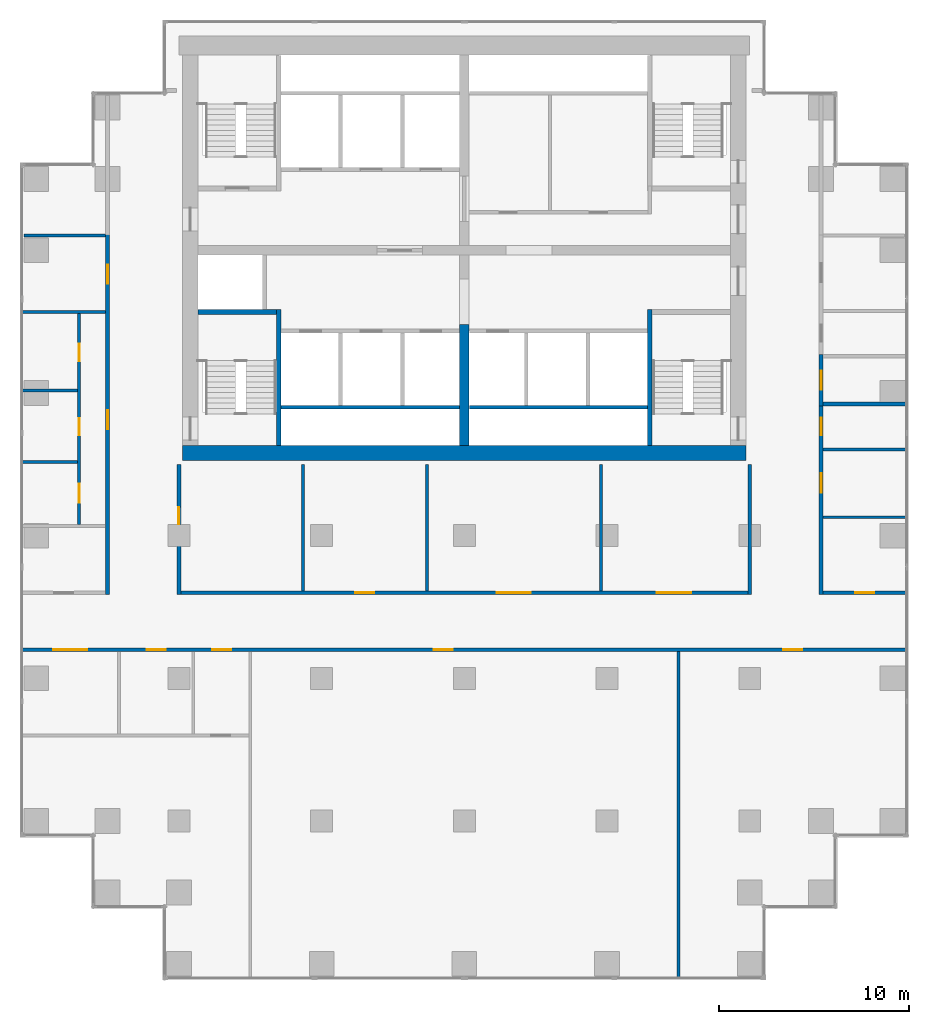
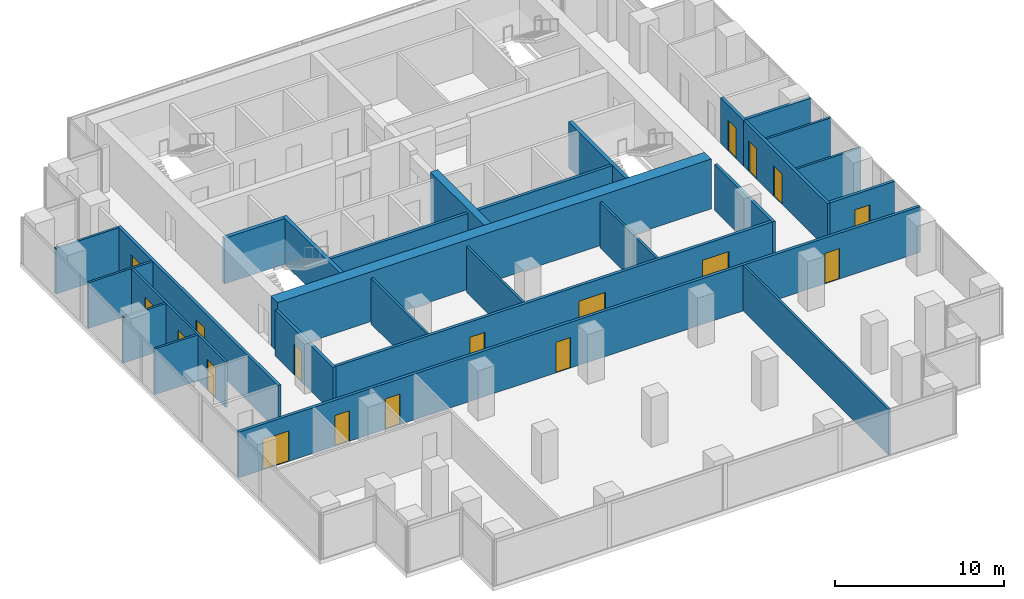
# One storey, part 7 of 10: 27 walls, 18 doors, 18 openings.
"""IFC4 building model written with IfcOpenShell, lengths in metres."""

import ifcopenshell
import ifcopenshell.guid

model = None  # the IFC model being written
_history = None  # IfcOwnerHistory: only IFC2X3 demands one
_inside = {}  # id of a spatial element -> (the spatial element, [elements in it])
_under = {}  # id of a project, library or spatial element -> (it, [spatial elements below it])
_declared = {}  # id of a project -> (the project, [libraries it declares])
_typed = {}  # id of a type object -> (the type object, [elements of that type])
_made_of = {}  # id of a material, layer set ... -> (it, [elements and type objects made of it])


def new_model(schema):
    """Start an empty IFC model of exactly this schema.

    Asked for "IFC4X3", IfcOpenShell would pick the latest addendum, in which some entities
    have other attributes; the version numbers below select the first issue.
    IFC2X3 requires an IfcOwnerHistory on every rooted entity: one is made here for all.
    """
    global model, _history
    if schema == "IFC4X3":
        model = ifcopenshell.file(schema_version=(4, 3, 0, 0))
    else:
        model = ifcopenshell.file(schema=schema)
    _inside.clear()
    _under.clear()
    _declared.clear()
    _typed.clear()
    _made_of.clear()
    _history = None
    if model.schema == "IFC2X3":
        org = make("IfcOrganization", Name="unknown")
        user = make(
            "IfcPersonAndOrganization",
            ThePerson=make("IfcPerson", FamilyName="unknown"),
            TheOrganization=org,
        )
        app = make(
            "IfcApplication",
            ApplicationDeveloper=org,
            Version="unknown",
            ApplicationFullName="unknown",
            ApplicationIdentifier="unknown",
        )
        _history = make(
            "IfcOwnerHistory",
            OwningUser=user,
            OwningApplication=app,
            ChangeAction="ADDED",
            CreationDate=0,
        )
    return model


def make(cls, **values):
    """One entity of the class cls with the attributes given. An attribute that is None is left unset."""
    return model.create_entity(
        cls, **{name: value for name, value in values.items() if value is not None}
    )


def rooted(cls, **values):
    """An entity with a GlobalId (a new one), such as an element, a storey or a relation."""
    return make(cls, GlobalId=ifcopenshell.guid.new(), OwnerHistory=_history, **values)


def si_unit(unit_type, name, prefix=None):
    """IfcSIUnit, for example si_unit("LENGTHUNIT", "METRE", prefix="MILLI")."""
    return make("IfcSIUnit", UnitType=unit_type, Prefix=prefix, Name=name)


def assignment(units):
    """IfcUnitAssignment: the units of a project."""
    return None if units is None else make("IfcUnitAssignment", Units=units)


def point(xyz):
    """IfcCartesianPoint."""
    return None if xyz is None else make("IfcCartesianPoint", Coordinates=xyz)


def direction(xyz):
    """IfcDirection."""
    return None if xyz is None else make("IfcDirection", DirectionRatios=xyz)


def frame(location, z_axis=None, x_axis=None):
    """IfcAxis2Placement3D, a coordinate frame: its origin and axes. An axis left out is left unset."""
    return make(
        "IfcAxis2Placement3D",
        Location=point(location),
        Axis=direction(z_axis),
        RefDirection=direction(x_axis),
    )


def frame_2d(location, x_axis=None):
    """IfcAxis2Placement2D, a coordinate frame in the plane: its origin and x axis."""
    return make(
        "IfcAxis2Placement2D", Location=point(location), RefDirection=direction(x_axis)
    )


def origin():
    """The frame at (0, 0, 0) with its axes left unset."""
    return frame((0.0, 0.0, 0.0))


def place(relative_to, where):
    """IfcLocalPlacement: puts the frame where relative to a parent placement (None: the world)."""
    return make(
        "IfcLocalPlacement", PlacementRelTo=relative_to, RelativePlacement=where
    )


def context(
    kind, dimensions, precision=None, world=None, true_north=None, identifier=None
):
    """IfcGeometricRepresentationContext, for example the 3D "Model" context."""
    return make(
        "IfcGeometricRepresentationContext",
        ContextIdentifier=identifier,
        ContextType=kind,
        CoordinateSpaceDimension=dimensions,
        Precision=precision,
        WorldCoordinateSystem=world,
        TrueNorth=true_north,
    )


def subcontext(parent, identifier, kind, view, scale=None):
    """IfcGeometricRepresentationSubContext, for example "Body" below "Model"."""
    return make(
        "IfcGeometricRepresentationSubContext",
        ContextIdentifier=identifier,
        ContextType=kind,
        ParentContext=parent,
        TargetScale=scale,
        TargetView=view,
    )


def project(units=None, contexts=None):
    """IfcProject with its units and contexts."""
    return rooted(
        "IfcProject",
        Name="project",
        RepresentationContexts=contexts,
        UnitsInContext=assignment(units),
    )


def spatial(cls, under=None, at=None, **own):
    """A site, building, storey or space (cls), placed at a placement, below another one or the project."""
    s = rooted(cls, ObjectPlacement=at, **own)
    if under is not None:
        _under.setdefault(under.id(), (under, []))[1].append(s)
    return s


def profile(cls, at=None, kind="AREA", **sizes):
    """A parametric profile (cls). Its sizes go by their IFC names, for example OverallWidth=200.0."""
    return make(cls, ProfileType=kind, Position=at, **sizes)


def rectangle(**sizes):
    """IfcRectangleProfileDef."""
    return profile("IfcRectangleProfileDef", **sizes)


def extrude(swept, where, along, depth):
    """IfcExtrudedAreaSolid: the profile swept, set in the frame where, extruded along a direction by depth."""
    return make(
        "IfcExtrudedAreaSolid",
        SweptArea=swept,
        Position=where,
        ExtrudedDirection=direction(along),
        Depth=depth,
    )


def shape(context_of_items, identifier, shape_type, items):
    """IfcShapeRepresentation: the items that make up one representation, for example the "Body"."""
    return make(
        "IfcShapeRepresentation",
        ContextOfItems=context_of_items,
        RepresentationIdentifier=identifier,
        RepresentationType=shape_type,
        Items=items,
    )


def material(Name=None, Category=None):
    """IfcMaterial."""
    return make("IfcMaterial", Name=Name, Category=Category)


def layer(
    of_material, thickness, ventilated=None, Name=None, Category=None, Priority=None
):
    """IfcMaterialLayer: one layer of a wall or slab, of a material (None: an air gap)."""
    return make(
        "IfcMaterialLayer",
        Material=of_material,
        LayerThickness=thickness,
        IsVentilated=ventilated,
        Name=Name,
        Category=Category,
        Priority=Priority,
    )


def layer_set(layers, Name=None):
    """IfcMaterialLayerSet."""
    return make("IfcMaterialLayerSet", MaterialLayers=layers, LayerSetName=Name)


def made_of(thing, what):
    """Note that an element or type object is made of a material, layer set ...; save() writes the relation."""
    if what is not None:
        _made_of.setdefault(what.id(), (what, []))[1].append(thing)
    return thing


def type_object(cls, material=None, **own):
    """A type object (cls), such as IfcWallType, which elements share."""
    return made_of(rooted(cls, **own), material)


def element(
    cls,
    number,
    at=None,
    inside=None,
    cuts=None,
    type_object=None,
    material=None,
    context=None,
    identifier="Body",
    shape_type=None,
    held_by="IfcProductDefinitionShape",
    body=None,
    shapes=None,
    **own,
):
    """One element of the class cls, such as IfcWall. Its Tag is "e" and its number.

    at: its placement. inside: the storey or other place that contains it. cuts: it is an
    opening in that element (IfcRelVoidsElement). A single representation is given by context,
    identifier, shape_type and body (its items); several are given by shapes. held_by: the class
    of the entity that holds the representations. save() writes the other relations.
    """
    e = rooted(cls, Tag="e%d" % number, ObjectPlacement=at, **own)
    if body is not None:
        shapes = [shape(context, identifier, shape_type, body)]
    if shapes is not None:
        e.Representation = make(held_by, Representations=shapes)
    if inside is not None:
        _inside.setdefault(inside.id(), (inside, []))[1].append(e)
    if cuts is not None:
        rooted(
            "IfcRelVoidsElement", RelatingBuildingElement=cuts, RelatedOpeningElement=e
        )
    if type_object is not None:
        _typed.setdefault(type_object.id(), (type_object, []))[1].append(e)
    return made_of(e, material)


def fill(opening, filler):
    """IfcRelFillsElement: the door or window that sits in an opening."""
    return rooted(
        "IfcRelFillsElement",
        RelatingOpeningElement=opening,
        RelatedBuildingElement=filler,
    )


def aggregate(whole, parts):
    """IfcRelAggregates: a whole, such as a stair, and the parts it consists of."""
    return rooted("IfcRelAggregates", RelatingObject=whole, RelatedObjects=parts)


def save(model, path):
    """Write the relations noted so far, then the file.

    IfcRelAggregates (storeys below a building ...), IfcRelContainedInSpatialStructure (elements
    in a storey), IfcRelDefinesByType, IfcRelAssociatesMaterial and IfcRelDeclares: one each for
    every whole, place, type object, material and project.
    """
    for whole, parts in _under.values():
        aggregate(whole, parts)
    for where, things in _inside.values():
        rooted(
            "IfcRelContainedInSpatialStructure",
            RelatedElements=things,
            RelatingStructure=where,
        )
    for kind, things in _typed.values():
        rooted("IfcRelDefinesByType", RelatedObjects=things, RelatingType=kind)
    for what, things in _made_of.values():
        rooted("IfcRelAssociatesMaterial", RelatedObjects=things, RelatingMaterial=what)
    for by, libraries in _declared.values():
        rooted("IfcRelDeclares", RelatingContext=by, RelatedDefinitions=libraries)
    model.write(path)


model = new_model("IFC4")

# Units and contexts
model_context = context("Model", 3, precision=1e-05, world=origin(), true_north=direction((0.0, 1.0)))
body_context = subcontext(model_context, "Body", "Model", "MODEL_VIEW")
ifc_project = project(units=[si_unit("LENGTHUNIT", "METRE"), si_unit("AREAUNIT", "SQUARE_METRE"), si_unit("VOLUMEUNIT", "CUBIC_METRE"), si_unit("PLANEANGLEUNIT", "RADIAN"), si_unit("MASSUNIT", "GRAM", prefix="KILO")], contexts=[model_context])

# Site, building, storey
site_placement = place(None, origin())
site = spatial("IfcSite", under=ifc_project, at=site_placement, CompositionType="ELEMENT")
building_placement = place(site_placement, origin())
building = spatial("IfcBuilding", under=site, at=building_placement, Name="Pilkhan Gate Tower", CompositionType="ELEMENT")
storey_placement = place(building_placement, frame((0.0, 0.0, 136.0)))
storey = spatial("IfcBuildingStorey", under=building, at=storey_placement, Name="L34", CompositionType="ELEMENT", Elevation=136.0)

# Wall
ifc_material_1 = material(Name="Concrete C60/75", Category="concrete")
ifc_layer_1 = layer(ifc_material_1, 0.800048828125)
ifc_layer_set_1 = layer_set([ifc_layer_1], Name="Core wall CW800 C60/75")
wall_type_1 = type_object("IfcWallType", Name="Core wall CW800 C60/75", PredefinedType="SHEAR", material=ifc_layer_set_1)
wall_1_placement = place(storey_placement, frame((60.199951171875, 71.85009765625, 0.0), z_axis=(0.0, 0.0, 1.0), x_axis=(1.0, 0.0, 0.0)))
element("IfcWall", 1, at=wall_1_placement, inside=storey, type_object=wall_type_1, Name="Core wall S L34", PredefinedType="SHEAR", context=body_context, shape_type="SweptSolid", body=[
    extrude(rectangle(XDim=29.60009765625, YDim=0.800048828125, at=frame_2d((14.800048828125, 0.0))), origin(), (0.0, 0.0, 1.0), 3.60009765625),
])

# Wall, openings, doors
ifc_material_2 = material(Name="Dense blockwork", Category="masonry")
ifc_layer_2 = layer(ifc_material_2, 0.199951171875)
ifc_layer_set_2 = layer_set([ifc_layer_2], Name="Corridor wall FW200")
wall_type_2 = type_object("IfcWallType", Name="Corridor wall FW200", PredefinedType="PARTITIONING", material=ifc_layer_set_2)
wall_2_placement = place(storey_placement, frame((51.735107421875, 61.5, 0.0), z_axis=(0.0, 0.0, 1.0), x_axis=(1.0, 0.0, 0.0)))
wall_2 = element("IfcWall", 2, at=wall_2_placement, inside=storey, type_object=wall_type_2, Name="Partition L34", PredefinedType="PARTITIONING", context=body_context, shape_type="SweptSolid", body=[
    extrude(rectangle(XDim=46.52978515625, YDim=0.199951171875, at=frame_2d((23.264892578125, 0.0))), origin(), (0.0, 0.0, 1.0), 3.300048828125),
])
opening_1_placement = place(wall_2_placement, frame((10.014892578125, 0.0, 0.0)))
opening_1 = element("IfcOpeningElement", 3, at=opening_1_placement, cuts=wall_2, Name="Opening L34-06", PredefinedType="OPENING", context=body_context, shape_type="SweptSolid", body=[
    extrude(rectangle(XDim=1.0, YDim=2.199951171875, at=frame_2d((0.5, 1.10009765625))), frame((0.0, 0.10986328125, 0.0), z_axis=(0.0, -1.0, 0.0), x_axis=(1.0, 0.0, 0.0)), (0.0, 0.0, 1.0), 0.219970703125),
])
opening_2_placement = place(wall_2_placement, frame((1.64990234375, 0.0, 0.0)))
opening_2 = element("IfcOpeningElement", 4, at=opening_2_placement, cuts=wall_2, Name="Opening L34-16", PredefinedType="OPENING", context=body_context, shape_type="SweptSolid", body=[
    extrude(rectangle(XDim=1.800048828125, YDim=2.199951171875, at=frame_2d((0.89990234375, 1.10009765625))), frame((0.0, 0.10986328125, 0.0), z_axis=(0.0, -1.0, 0.0), x_axis=(1.0, 0.0, 0.0)), (0.0, 0.0, 1.0), 0.219970703125),
])
opening_3_placement = place(wall_2_placement, frame((6.571044921875, 0.0, 0.0)))
opening_3 = element("IfcOpeningElement", 5, at=opening_3_placement, cuts=wall_2, Name="Opening L34-17", PredefinedType="OPENING", context=body_context, shape_type="SweptSolid", body=[
    extrude(rectangle(XDim=1.0, YDim=2.199951171875, at=frame_2d((0.5, 1.10009765625))), frame((0.0, 0.10986328125, 0.0), z_axis=(0.0, -1.0, 0.0), x_axis=(1.0, 0.0, 0.0)), (0.0, 0.0, 1.0), 0.219970703125),
])
opening_4_placement = place(wall_2_placement, frame((21.6650390625, 0.0, 0.0)))
opening_4 = element("IfcOpeningElement", 6, at=opening_4_placement, cuts=wall_2, Name="Opening L34-19", PredefinedType="OPENING", context=body_context, shape_type="SweptSolid", body=[
    extrude(rectangle(XDim=1.0, YDim=2.199951171875, at=frame_2d((0.5, 1.10009765625))), frame((0.0, 0.10986328125, 0.0), z_axis=(0.0, -1.0, 0.0), x_axis=(1.0, 0.0, 0.0)), (0.0, 0.0, 1.0), 0.219970703125),
])
opening_5_placement = place(wall_2_placement, frame((40.014892578125, 0.0, 0.0)))
opening_5 = element("IfcOpeningElement", 7, at=opening_5_placement, cuts=wall_2, Name="Opening L34-20", PredefinedType="OPENING", context=body_context, shape_type="SweptSolid", body=[
    extrude(rectangle(XDim=1.0, YDim=2.199951171875, at=frame_2d((0.5, 1.10009765625))), frame((0.0, 0.10986328125, 0.0), z_axis=(0.0, -1.0, 0.0), x_axis=(1.0, 0.0, 0.0)), (0.0, 0.0, 1.0), 0.219970703125),
])
ifc_material_3 = material(Name="Timber glazed double door, 30 minute fire resisting", Category="wood")
door_type_1 = type_object("IfcDoorType", Name="Double door D04 1800x2200", OperationType="DOUBLE_DOOR_SINGLE_SWING", PredefinedType="DOOR", material=ifc_material_3)
door_1_placement = place(opening_2_placement, origin())
door_1 = element("IfcDoor", 8, at=door_1_placement, inside=storey, type_object=door_type_1, Name="Double door", OperationType="DOUBLE_DOOR_SINGLE_SWING", OverallHeight=2.199951171875, OverallWidth=1.800048828125, PredefinedType="DOOR", context=body_context, shape_type="SweptSolid", body=[
    extrude(rectangle(XDim=1.800048828125, YDim=2.199951171875, at=frame_2d((0.89990234375, 1.10009765625))), frame((0.0, 0.02490234375, 0.0), z_axis=(0.0, -1.0, 0.0), x_axis=(1.0, 0.0, 0.0)), (0.0, 0.0, 1.0), 0.050048828125),
])
fill(opening_2, door_1)
ifc_material_4 = material(Name="Timber flush door, 30 minute fire resisting", Category="wood")
door_type_2 = type_object("IfcDoorType", Name="Room door D03 1000x2200", OperationType="SINGLE_SWING_LEFT", PredefinedType="DOOR", material=ifc_material_4)
door_2_placement = place(opening_1_placement, origin())
door_2 = element("IfcDoor", 9, at=door_2_placement, inside=storey, type_object=door_type_2, Name="Room door", OperationType="SINGLE_SWING_LEFT", OverallHeight=2.199951171875, OverallWidth=1.0, PredefinedType="DOOR", context=body_context, shape_type="SweptSolid", body=[
    extrude(rectangle(XDim=1.0, YDim=2.199951171875, at=frame_2d((0.5, 1.10009765625))), frame((0.0, 0.02490234375, 0.0), z_axis=(0.0, -1.0, 0.0), x_axis=(1.0, 0.0, 0.0)), (0.0, 0.0, 1.0), 0.050048828125),
])
fill(opening_1, door_2)
door_3_placement = place(opening_3_placement, origin())
door_3 = element("IfcDoor", 10, at=door_3_placement, inside=storey, type_object=door_type_2, Name="Room door", OperationType="SINGLE_SWING_LEFT", OverallHeight=2.199951171875, OverallWidth=1.0, PredefinedType="DOOR", context=body_context, shape_type="SweptSolid", body=[
    extrude(rectangle(XDim=1.0, YDim=2.199951171875, at=frame_2d((0.5, 1.10009765625))), frame((0.0, 0.02490234375, 0.0), z_axis=(0.0, -1.0, 0.0), x_axis=(1.0, 0.0, 0.0)), (0.0, 0.0, 1.0), 0.050048828125),
])
fill(opening_3, door_3)
door_4_placement = place(opening_4_placement, origin())
door_4 = element("IfcDoor", 11, at=door_4_placement, inside=storey, type_object=door_type_2, Name="Room door", OperationType="SINGLE_SWING_LEFT", OverallHeight=2.199951171875, OverallWidth=1.0, PredefinedType="DOOR", context=body_context, shape_type="SweptSolid", body=[
    extrude(rectangle(XDim=1.0, YDim=2.199951171875, at=frame_2d((0.5, 1.10009765625))), frame((0.0, 0.02490234375, 0.0), z_axis=(0.0, -1.0, 0.0), x_axis=(1.0, 0.0, 0.0)), (0.0, 0.0, 1.0), 0.050048828125),
])
fill(opening_4, door_4)
door_5_placement = place(opening_5_placement, origin())
door_5 = element("IfcDoor", 12, at=door_5_placement, inside=storey, type_object=door_type_2, Name="Room door", OperationType="SINGLE_SWING_LEFT", OverallHeight=2.199951171875, OverallWidth=1.0, PredefinedType="DOOR", context=body_context, shape_type="SweptSolid", body=[
    extrude(rectangle(XDim=1.0, YDim=2.199951171875, at=frame_2d((0.5, 1.10009765625))), frame((0.0, 0.02490234375, 0.0), z_axis=(0.0, -1.0, 0.0), x_axis=(1.0, 0.0, 0.0)), (0.0, 0.0, 1.0), 0.050048828125),
])
fill(opening_5, door_5)

wall_3_placement = place(storey_placement, frame((60.10009765625, 64.5, 0.0), z_axis=(0.0, 0.0, 1.0), x_axis=(1.0, 0.0, 0.0)))
wall_3 = element("IfcWall", 13, at=wall_3_placement, inside=storey, type_object=wall_type_2, Name="Partition L34", PredefinedType="PARTITIONING", context=body_context, shape_type="SweptSolid", body=[
    extrude(rectangle(XDim=29.7998046875, YDim=0.199951171875, at=frame_2d((14.89990234375, 0.0))), origin(), (0.0, 0.0, 1.0), 3.300048828125),
])
opening_6_placement = place(wall_3_placement, frame((9.172119140625, 0.0, 0.0)))
opening_6 = element("IfcOpeningElement", 14, at=opening_6_placement, cuts=wall_3, Name="Opening L34-30", PredefinedType="OPENING", context=body_context, shape_type="SweptSolid", body=[
    extrude(rectangle(XDim=1.0, YDim=2.199951171875, at=frame_2d((0.5, 1.10009765625))), frame((0.0, 0.10986328125, 0.0), z_axis=(0.0, -1.0, 0.0), x_axis=(1.0, 0.0, 0.0)), (0.0, 0.0, 1.0), 0.219970703125),
])
opening_7_placement = place(wall_3_placement, frame((16.593017578125, 0.0, 0.0)))
opening_7 = element("IfcOpeningElement", 15, at=opening_7_placement, cuts=wall_3, Name="Opening L34-31", PredefinedType="OPENING", context=body_context, shape_type="SweptSolid", body=[
    extrude(rectangle(XDim=1.800048828125, YDim=2.199951171875, at=frame_2d((0.89990234375, 1.10009765625))), frame((0.0, 0.10986328125, 0.0), z_axis=(0.0, -1.0, 0.0), x_axis=(1.0, 0.0, 0.0)), (0.0, 0.0, 1.0), 0.219970703125),
])
opening_8_placement = place(wall_3_placement, frame((25.02392578125, 0.0, 0.0)))
opening_8 = element("IfcOpeningElement", 16, at=opening_8_placement, cuts=wall_3, Name="Opening L34-32", PredefinedType="OPENING", context=body_context, shape_type="SweptSolid", body=[
    extrude(rectangle(XDim=1.800048828125, YDim=2.199951171875, at=frame_2d((0.89990234375, 1.10009765625))), frame((0.0, 0.10986328125, 0.0), z_axis=(0.0, -1.0, 0.0), x_axis=(1.0, 0.0, 0.0)), (0.0, 0.0, 1.0), 0.219970703125),
])
door_6_placement = place(opening_7_placement, origin())
door_6 = element("IfcDoor", 17, at=door_6_placement, inside=storey, type_object=door_type_1, Name="Double door", OperationType="DOUBLE_DOOR_SINGLE_SWING", OverallHeight=2.199951171875, OverallWidth=1.800048828125, PredefinedType="DOOR", context=body_context, shape_type="SweptSolid", body=[
    extrude(rectangle(XDim=1.800048828125, YDim=2.199951171875, at=frame_2d((0.89990234375, 1.10009765625))), frame((0.0, 0.02490234375, 0.0), z_axis=(0.0, -1.0, 0.0), x_axis=(1.0, 0.0, 0.0)), (0.0, 0.0, 1.0), 0.050048828125),
])
fill(opening_7, door_6)
door_7_placement = place(opening_8_placement, origin())
door_7 = element("IfcDoor", 18, at=door_7_placement, inside=storey, type_object=door_type_1, Name="Double door", OperationType="DOUBLE_DOOR_SINGLE_SWING", OverallHeight=2.199951171875, OverallWidth=1.800048828125, PredefinedType="DOOR", context=body_context, shape_type="SweptSolid", body=[
    extrude(rectangle(XDim=1.800048828125, YDim=2.199951171875, at=frame_2d((0.89990234375, 1.10009765625))), frame((0.0, 0.02490234375, 0.0), z_axis=(0.0, -1.0, 0.0), x_axis=(1.0, 0.0, 0.0)), (0.0, 0.0, 1.0), 0.050048828125),
])
fill(opening_8, door_7)
door_8_placement = place(opening_6_placement, origin())
door_8 = element("IfcDoor", 19, at=door_8_placement, inside=storey, type_object=door_type_2, Name="Room door", OperationType="SINGLE_SWING_LEFT", OverallHeight=2.199951171875, OverallWidth=1.0, PredefinedType="DOOR", context=body_context, shape_type="SweptSolid", body=[
    extrude(rectangle(XDim=1.0, YDim=2.199951171875, at=frame_2d((0.5, 1.10009765625))), frame((0.0, 0.02490234375, 0.0), z_axis=(0.0, -1.0, 0.0), x_axis=(1.0, 0.0, 0.0)), (0.0, 0.0, 1.0), 0.050048828125),
])
fill(opening_6, door_8)

# Wall, opening, door
wall_4_placement = place(storey_placement, frame((93.85009765625, 64.5, 0.0), z_axis=(0.0, 0.0, 1.0), x_axis=(1.0, 0.0, 0.0)))
wall_4 = element("IfcWall", 20, at=wall_4_placement, inside=storey, type_object=wall_type_2, Name="Partition L34", PredefinedType="PARTITIONING", context=body_context, shape_type="SweptSolid", body=[
    extrude(rectangle(XDim=4.414794921875, YDim=0.199951171875, at=frame_2d((2.20751953125, 0.0))), origin(), (0.0, 0.0, 1.0), 3.300048828125),
])
opening_9_placement = place(wall_4_placement, frame((1.699951171875, 0.0, 0.0)))
opening_9 = element("IfcOpeningElement", 21, at=opening_9_placement, cuts=wall_4, Name="Opening L34-25", PredefinedType="OPENING", context=body_context, shape_type="SweptSolid", body=[
    extrude(rectangle(XDim=1.0, YDim=2.199951171875, at=frame_2d((0.5, 1.10009765625))), frame((0.0, 0.10986328125, 0.0), z_axis=(0.0, -1.0, 0.0), x_axis=(1.0, 0.0, 0.0)), (0.0, 0.0, 1.0), 0.219970703125),
])
door_9_placement = place(opening_9_placement, origin())
door_9 = element("IfcDoor", 22, at=door_9_placement, inside=storey, type_object=door_type_2, Name="Room door", OperationType="SINGLE_SWING_LEFT", OverallHeight=2.199951171875, OverallWidth=1.0, PredefinedType="DOOR", context=body_context, shape_type="SweptSolid", body=[
    extrude(rectangle(XDim=1.0, YDim=2.199951171875, at=frame_2d((0.5, 1.10009765625))), frame((0.0, 0.02490234375, 0.0), z_axis=(0.0, -1.0, 0.0), x_axis=(1.0, 0.0, 0.0)), (0.0, 0.0, 1.0), 0.050048828125),
])
fill(opening_9, door_9)

# Wall, openings, doors
wall_5_placement = place(storey_placement, frame((56.25, 64.39990234375, 0.0), z_axis=(0.0, 0.0, 1.0), x_axis=(0.0, 1.0, 0.0)))
wall_5 = element("IfcWall", 23, at=wall_5_placement, inside=storey, type_object=wall_type_2, Name="Partition L34", PredefinedType="PARTITIONING", context=body_context, shape_type="SweptSolid", body=[
    extrude(rectangle(XDim=18.955078125, YDim=0.199951171875, at=frame_2d((9.4775390625, 0.0))), origin(), (0.0, 0.0, 1.0), 3.300048828125),
])
opening_10_placement = place(wall_5_placement, frame((8.699951171875, 0.0, 0.0)))
opening_10 = element("IfcOpeningElement", 24, at=opening_10_placement, cuts=wall_5, Name="Opening L34-07", PredefinedType="OPENING", context=body_context, shape_type="SweptSolid", body=[
    extrude(rectangle(XDim=1.0, YDim=2.199951171875, at=frame_2d((0.5, 1.10009765625))), frame((0.0, 0.10986328125, 0.0), z_axis=(0.0, -1.0, 0.0), x_axis=(1.0, 0.0, 0.0)), (0.0, 0.0, 1.0), 0.219970703125),
])
opening_11_placement = place(wall_5_placement, frame((16.35009765625, 0.0, 0.0)))
opening_11 = element("IfcOpeningElement", 25, at=opening_11_placement, cuts=wall_5, Name="Opening L34-08", PredefinedType="OPENING", context=body_context, shape_type="SweptSolid", body=[
    extrude(rectangle(XDim=1.0, YDim=2.199951171875, at=frame_2d((0.5, 1.10009765625))), frame((0.0, 0.10986328125, 0.0), z_axis=(0.0, -1.0, 0.0), x_axis=(1.0, 0.0, 0.0)), (0.0, 0.0, 1.0), 0.219970703125),
])
door_10_placement = place(opening_10_placement, origin())
door_10 = element("IfcDoor", 26, at=door_10_placement, inside=storey, type_object=door_type_2, Name="Toilet lobby door", OperationType="SINGLE_SWING_LEFT", OverallHeight=2.199951171875, OverallWidth=1.0, PredefinedType="DOOR", context=body_context, shape_type="SweptSolid", body=[
    extrude(rectangle(XDim=1.0, YDim=2.199951171875, at=frame_2d((0.5, 1.10009765625))), frame((0.0, 0.02490234375, 0.0), z_axis=(0.0, -1.0, 0.0), x_axis=(1.0, 0.0, 0.0)), (0.0, 0.0, 1.0), 0.050048828125),
])
fill(opening_10, door_10)
door_11_placement = place(opening_11_placement, origin())
door_11 = element("IfcDoor", 27, at=door_11_placement, inside=storey, type_object=door_type_2, Name="Room door", OperationType="SINGLE_SWING_RIGHT", OverallHeight=2.199951171875, OverallWidth=1.0, PredefinedType="DOOR", context=body_context, shape_type="SweptSolid", body=[
    extrude(rectangle(XDim=1.0, YDim=2.199951171875, at=frame_2d((0.5, 1.10009765625))), frame((0.0, 0.02490234375, 0.0), z_axis=(0.0, -1.0, 0.0), x_axis=(1.0, 0.0, 0.0)), (0.0, 0.0, 1.0), 0.050048828125),
])
fill(opening_11, door_11)

# Wall, opening, door
wall_6_placement = place(storey_placement, frame((60.0, 64.39990234375, 0.0), z_axis=(0.0, 0.0, 1.0), x_axis=(0.0, 1.0, 0.0)))
wall_6 = element("IfcWall", 28, at=wall_6_placement, inside=storey, type_object=wall_type_2, Name="Partition L34", PredefinedType="PARTITIONING", context=body_context, shape_type="SweptSolid", body=[
    extrude(rectangle(XDim=6.85009765625, YDim=0.199951171875, at=frame_2d((3.425048828125, 0.0))), origin(), (0.0, 0.0, 1.0), 3.300048828125),
])
opening_12_placement = place(wall_6_placement, frame((3.699951171875, 0.0, 0.0)))
opening_12 = element("IfcOpeningElement", 29, at=opening_12_placement, cuts=wall_6, Name="Opening L34-29", PredefinedType="OPENING", context=body_context, shape_type="SweptSolid", body=[
    extrude(rectangle(XDim=0.89990234375, YDim=2.199951171875, at=frame_2d((0.449951171875, 1.10009765625))), frame((0.0, 0.10986328125, 0.0), z_axis=(0.0, -1.0, 0.0), x_axis=(1.0, 0.0, 0.0)), (0.0, 0.0, 1.0), 0.219970703125),
])
ifc_material_5 = material(Name="Timber flush door, 60 minute fire resisting, self-closing", Category="wood")
door_type_3 = type_object("IfcDoorType", Name="Store door D05 900x2200", OperationType="SINGLE_SWING_LEFT", PredefinedType="DOOR", material=ifc_material_5)
door_12_placement = place(opening_12_placement, origin())
door_12 = element("IfcDoor", 30, at=door_12_placement, inside=storey, type_object=door_type_3, Name="Store door", OperationType="SINGLE_SWING_LEFT", OverallHeight=2.199951171875, OverallWidth=0.89990234375, PredefinedType="DOOR", context=body_context, shape_type="SweptSolid", body=[
    extrude(rectangle(XDim=0.89990234375, YDim=2.199951171875, at=frame_2d((0.449951171875, 1.10009765625))), frame((0.0, 0.02490234375, 0.0), z_axis=(0.0, -1.0, 0.0), x_axis=(1.0, 0.0, 0.0)), (0.0, 0.0, 1.0), 0.050048828125),
])
fill(opening_12, door_12)

# Wall
wall_7_placement = place(storey_placement, frame((90.0, 64.39990234375, 0.0), z_axis=(0.0, 0.0, 1.0), x_axis=(0.0, 1.0, 0.0)))
element("IfcWall", 31, at=wall_7_placement, inside=storey, type_object=wall_type_2, Name="Partition L34", PredefinedType="PARTITIONING", context=body_context, shape_type="SweptSolid", body=[
    extrude(rectangle(XDim=6.85009765625, YDim=0.199951171875, at=frame_2d((3.425048828125, 0.0))), origin(), (0.0, 0.0, 1.0), 3.300048828125),
])

# Wall, openings, doors
wall_8_placement = place(storey_placement, frame((93.75, 64.39990234375, 0.0), z_axis=(0.0, 0.0, 1.0), x_axis=(0.0, 1.0, 0.0)))
wall_8 = element("IfcWall", 32, at=wall_8_placement, inside=storey, type_object=wall_type_2, Name="Partition L34", PredefinedType="PARTITIONING", context=body_context, shape_type="SweptSolid", body=[
    extrude(rectangle(XDim=10.01904296875, YDim=0.199951171875, at=frame_2d((5.009521484375, 0.0))), origin(), (0.0, 0.0, 1.0), 3.300048828125),
])
opening_13_placement = place(wall_8_placement, frame((5.367919921875, 0.0, 0.0)))
opening_13 = element("IfcOpeningElement", 33, at=opening_13_placement, cuts=wall_8, Name="Opening L34-09", PredefinedType="OPENING", context=body_context, shape_type="SweptSolid", body=[
    extrude(rectangle(XDim=1.0, YDim=2.199951171875, at=frame_2d((0.5, 1.10009765625))), frame((0.0, 0.10986328125, 0.0), z_axis=(0.0, -1.0, 0.0), x_axis=(1.0, 0.0, 0.0)), (0.0, 0.0, 1.0), 0.219970703125),
])
opening_14_placement = place(wall_8_placement, frame((8.387939453125, 0.0, 0.0)))
opening_14 = element("IfcOpeningElement", 34, at=opening_14_placement, cuts=wall_8, Name="Opening L34-26", PredefinedType="OPENING", context=body_context, shape_type="SweptSolid", body=[
    extrude(rectangle(XDim=0.89990234375, YDim=2.199951171875, at=frame_2d((0.449951171875, 1.10009765625))), frame((0.0, 0.10986328125, 0.0), z_axis=(0.0, -1.0, 0.0), x_axis=(1.0, 0.0, 0.0)), (0.0, 0.0, 1.0), 0.219970703125),
])
door_13_placement = place(opening_13_placement, origin())
door_13 = element("IfcDoor", 35, at=door_13_placement, inside=storey, type_object=door_type_2, Name="Room door", OperationType="SINGLE_SWING_RIGHT", OverallHeight=2.199951171875, OverallWidth=1.0, PredefinedType="DOOR", context=body_context, shape_type="SweptSolid", body=[
    extrude(rectangle(XDim=1.0, YDim=2.199951171875, at=frame_2d((0.5, 1.10009765625))), frame((0.0, 0.02490234375, 0.0), z_axis=(0.0, -1.0, 0.0), x_axis=(1.0, 0.0, 0.0)), (0.0, 0.0, 1.0), 0.050048828125),
])
fill(opening_13, door_13)
door_14_placement = place(opening_14_placement, origin())
door_14 = element("IfcDoor", 36, at=door_14_placement, inside=storey, type_object=door_type_3, Name="Store door", OperationType="SINGLE_SWING_LEFT", OverallHeight=2.199951171875, OverallWidth=0.89990234375, PredefinedType="DOOR", context=body_context, shape_type="SweptSolid", body=[
    extrude(rectangle(XDim=0.89990234375, YDim=2.199951171875, at=frame_2d((0.449951171875, 1.10009765625))), frame((0.0, 0.02490234375, 0.0), z_axis=(0.0, -1.0, 0.0), x_axis=(1.0, 0.0, 0.0)), (0.0, 0.0, 1.0), 0.050048828125),
])
fill(opening_14, door_14)

# Wall
ifc_layer_3 = layer(ifc_material_2, 0.199951171875)
ifc_layer_set_3 = layer_set([ifc_layer_3], Name="Lobby wall LW200")
wall_type_3 = type_object("IfcWallType", Name="Lobby wall LW200", PredefinedType="PARTITIONING", material=ifc_layer_set_3)
wall_9_placement = place(storey_placement, frame((93.85009765625, 74.4189453125, 0.0), z_axis=(0.0, 0.0, 1.0), x_axis=(1.0, 0.0, 0.0)))
element("IfcWall", 37, at=wall_9_placement, inside=storey, type_object=wall_type_3, Name="Partition L34", PredefinedType="PARTITIONING", context=body_context, shape_type="SweptSolid", body=[
    extrude(rectangle(XDim=4.414794921875, YDim=0.199951171875, at=frame_2d((2.20751953125, 0.0))), origin(), (0.0, 0.0, 1.0), 3.300048828125),
])

# Wall, opening, door
wall_10_placement = place(storey_placement, frame((93.75, 74.319091796875, 0.0), z_axis=(0.0, 0.0, 1.0), x_axis=(0.0, 1.0, 0.0)))
wall_10 = element("IfcWall", 38, at=wall_10_placement, inside=storey, type_object=wall_type_3, Name="Partition L34", PredefinedType="PARTITIONING", context=body_context, shape_type="SweptSolid", body=[
    extrude(rectangle(XDim=2.712890625, YDim=0.199951171875, at=frame_2d((1.3564453125, 0.0))), origin(), (0.0, 0.0, 1.0), 3.300048828125),
])
opening_15_placement = place(wall_10_placement, frame((0.85009765625, 0.0, 0.0)))
opening_15 = element("IfcOpeningElement", 39, at=opening_15_placement, cuts=wall_10, Name="Opening L34-10", PredefinedType="OPENING", context=body_context, shape_type="SweptSolid", body=[
    extrude(rectangle(XDim=1.0, YDim=2.199951171875, at=frame_2d((0.5, 1.10009765625))), frame((0.0, 0.10986328125, 0.0), z_axis=(0.0, -1.0, 0.0), x_axis=(1.0, 0.0, 0.0)), (0.0, 0.0, 1.0), 0.219970703125),
])
door_15_placement = place(opening_15_placement, origin())
door_15 = element("IfcDoor", 40, at=door_15_placement, inside=storey, type_object=door_type_2, Name="Room door", OperationType="SINGLE_SWING_LEFT", OverallHeight=2.199951171875, OverallWidth=1.0, PredefinedType="DOOR", context=body_context, shape_type="SweptSolid", body=[
    extrude(rectangle(XDim=1.0, YDim=2.199951171875, at=frame_2d((0.5, 1.10009765625))), frame((0.0, 0.02490234375, 0.0), z_axis=(0.0, -1.0, 0.0), x_axis=(1.0, 0.0, 0.0)), (0.0, 0.0, 1.0), 0.050048828125),
])
fill(opening_15, door_15)

# Walls
ifc_material_6 = material(Name="Blockwork partition, plastered both sides", Category="masonry")
ifc_layer_4 = layer(ifc_material_6, 0.14990234375)
ifc_layer_set_4 = layer_set([ifc_layer_4], Name="Partition PW150")
wall_type_4 = type_object("IfcWallType", Name="Partition PW150", PredefinedType="PARTITIONING", material=ifc_layer_set_4)
wall_11_placement = place(storey_placement, frame((93.85009765625, 68.468017578125, 0.0), z_axis=(0.0, 0.0, 1.0), x_axis=(1.0, 0.0, 0.0)))
element("IfcWall", 41, at=wall_11_placement, inside=storey, type_object=wall_type_4, Name="Partition L34", PredefinedType="PARTITIONING", context=body_context, shape_type="SweptSolid", body=[
    extrude(rectangle(XDim=4.414794921875, YDim=0.14990234375, at=frame_2d((2.20751953125, 0.0))), origin(), (0.0, 0.0, 1.0), 3.300048828125),
])
wall_12_placement = place(storey_placement, frame((51.735107421875, 71.375, 0.0), z_axis=(0.0, 0.0, 1.0), x_axis=(1.0, 0.0, 0.0)))
element("IfcWall", 42, at=wall_12_placement, inside=storey, type_object=wall_type_4, Name="Partition L34", PredefinedType="PARTITIONING", context=body_context, shape_type="SweptSolid", body=[
    extrude(rectangle(XDim=2.93994140625, YDim=0.14990234375, at=frame_2d((1.469970703125, 0.0))), origin(), (0.0, 0.0, 1.0), 3.300048828125),
])
wall_13_placement = place(storey_placement, frame((93.85009765625, 72.0380859375, 0.0), z_axis=(0.0, 0.0, 1.0), x_axis=(1.0, 0.0, 0.0)))
element("IfcWall", 43, at=wall_13_placement, inside=storey, type_object=wall_type_4, Name="Partition L34", PredefinedType="PARTITIONING", context=body_context, shape_type="SweptSolid", body=[
    extrude(rectangle(XDim=4.414794921875, YDim=0.14990234375, at=frame_2d((2.20751953125, 0.0))), origin(), (0.0, 0.0, 1.0), 3.300048828125),
])
wall_14_placement = place(storey_placement, frame((51.735107421875, 75.125, 0.0), z_axis=(0.0, 0.0, 1.0), x_axis=(1.0, 0.0, 0.0)))
element("IfcWall", 44, at=wall_14_placement, inside=storey, type_object=wall_type_4, Name="Partition L34", PredefinedType="PARTITIONING", context=body_context, shape_type="SweptSolid", body=[
    extrude(rectangle(XDim=2.93994140625, YDim=0.14990234375, at=frame_2d((1.469970703125, 0.0))), origin(), (0.0, 0.0, 1.0), 3.300048828125),
])
wall_15_placement = place(storey_placement, frame((51.735107421875, 79.25, 0.0), z_axis=(0.0, 0.0, 1.0), x_axis=(1.0, 0.0, 0.0)))
element("IfcWall", 45, at=wall_15_placement, inside=storey, type_object=wall_type_4, Name="Partition L34", PredefinedType="PARTITIONING", context=body_context, shape_type="SweptSolid", body=[
    extrude(rectangle(XDim=4.414794921875, YDim=0.14990234375, at=frame_2d((2.20751953125, 0.0))), origin(), (0.0, 0.0, 1.0), 3.300048828125),
])
wall_16_placement = place(storey_placement, frame((51.85498046875, 83.280029296875, 0.0), z_axis=(0.0, 0.0, 1.0), x_axis=(1.0, 0.0, 0.0)))
element("IfcWall", 46, at=wall_16_placement, inside=storey, type_object=wall_type_4, Name="Partition L34", PredefinedType="PARTITIONING", context=body_context, shape_type="SweptSolid", body=[
    extrude(rectangle(XDim=4.294921875, YDim=0.14990234375, at=frame_2d((2.1474609375, 0.0))), origin(), (0.0, 0.0, 1.0), 3.300048828125),
])

# Wall, openings, doors
wall_17_placement = place(storey_placement, frame((54.75, 68.074951171875, 0.0), z_axis=(0.0, 0.0, 1.0), x_axis=(0.0, 1.0, 0.0)))
wall_17 = element("IfcWall", 47, at=wall_17_placement, inside=storey, type_object=wall_type_4, Name="Partition L34", PredefinedType="PARTITIONING", context=body_context, shape_type="SweptSolid", body=[
    extrude(rectangle(XDim=11.10009765625, YDim=0.14990234375, at=frame_2d((5.550048828125, 0.0))), origin(), (0.0, 0.0, 1.0), 3.300048828125),
])
opening_16_placement = place(wall_17_placement, frame((1.14990234375, 0.0, 0.0)))
opening_16 = element("IfcOpeningElement", 48, at=opening_16_placement, cuts=wall_17, Name="Opening L34-21", PredefinedType="OPENING", context=body_context, shape_type="SweptSolid", body=[
    extrude(rectangle(XDim=1.0, YDim=2.199951171875, at=frame_2d((0.5, 1.10009765625))), frame((0.0, 0.0849609375, 0.0), z_axis=(0.0, -1.0, 0.0), x_axis=(1.0, 0.0, 0.0)), (0.0, 0.0, 1.0), 0.169921875),
])
opening_17_placement = place(wall_17_placement, frame((4.699951171875, 0.0, 0.0)))
opening_17 = element("IfcOpeningElement", 49, at=opening_17_placement, cuts=wall_17, Name="Opening L34-22", PredefinedType="OPENING", context=body_context, shape_type="SweptSolid", body=[
    extrude(rectangle(XDim=0.89990234375, YDim=2.199951171875, at=frame_2d((0.449951171875, 1.10009765625))), frame((0.0, 0.0849609375, 0.0), z_axis=(0.0, -1.0, 0.0), x_axis=(1.0, 0.0, 0.0)), (0.0, 0.0, 1.0), 0.169921875),
])
opening_18_placement = place(wall_17_placement, frame((8.60009765625, 0.0, 0.0)))
opening_18 = element("IfcOpeningElement", 50, at=opening_18_placement, cuts=wall_17, Name="Opening L34-23", PredefinedType="OPENING", context=body_context, shape_type="SweptSolid", body=[
    extrude(rectangle(XDim=0.89990234375, YDim=2.199951171875, at=frame_2d((0.449951171875, 1.10009765625))), frame((0.0, 0.0849609375, 0.0), z_axis=(0.0, -1.0, 0.0), x_axis=(1.0, 0.0, 0.0)), (0.0, 0.0, 1.0), 0.169921875),
])
ifc_material_7 = material(Name="Timber flush door, outward opening, 30 minute fire resisting", Category="wood")
door_type_4 = type_object("IfcDoorType", Name="Accessible toilet door D07 1000x2200", OperationType="SINGLE_SWING_LEFT", PredefinedType="DOOR", material=ifc_material_7)
door_16_placement = place(opening_16_placement, origin())
door_16 = element("IfcDoor", 51, at=door_16_placement, inside=storey, type_object=door_type_4, Name="Accessible toilet door", OperationType="SINGLE_SWING_RIGHT", OverallHeight=2.199951171875, OverallWidth=1.0, PredefinedType="DOOR", context=body_context, shape_type="SweptSolid", body=[
    extrude(rectangle(XDim=1.0, YDim=2.199951171875, at=frame_2d((0.5, 1.10009765625))), frame((0.0, 0.02490234375, 0.0), z_axis=(0.0, -1.0, 0.0), x_axis=(1.0, 0.0, 0.0)), (0.0, 0.0, 1.0), 0.050048828125),
])
fill(opening_16, door_16)
door_type_5 = type_object("IfcDoorType", Name="Toilet door D06 900x2200", OperationType="SINGLE_SWING_LEFT", PredefinedType="DOOR", material=ifc_material_4)
door_17_placement = place(opening_17_placement, origin())
door_17 = element("IfcDoor", 52, at=door_17_placement, inside=storey, type_object=door_type_5, Name="Toilet door", OperationType="SINGLE_SWING_LEFT", OverallHeight=2.199951171875, OverallWidth=0.89990234375, PredefinedType="DOOR", context=body_context, shape_type="SweptSolid", body=[
    extrude(rectangle(XDim=0.89990234375, YDim=2.199951171875, at=frame_2d((0.449951171875, 1.10009765625))), frame((0.0, 0.02490234375, 0.0), z_axis=(0.0, -1.0, 0.0), x_axis=(1.0, 0.0, 0.0)), (0.0, 0.0, 1.0), 0.050048828125),
])
fill(opening_17, door_17)
door_18_placement = place(opening_18_placement, origin())
door_18 = element("IfcDoor", 53, at=door_18_placement, inside=storey, type_object=door_type_5, Name="Toilet door", OperationType="SINGLE_SWING_LEFT", OverallHeight=2.199951171875, OverallWidth=0.89990234375, PredefinedType="DOOR", context=body_context, shape_type="SweptSolid", body=[
    extrude(rectangle(XDim=0.89990234375, YDim=2.199951171875, at=frame_2d((0.449951171875, 1.10009765625))), frame((0.0, 0.02490234375, 0.0), z_axis=(0.0, -1.0, 0.0), x_axis=(1.0, 0.0, 0.0)), (0.0, 0.0, 1.0), 0.050048828125),
])
fill(opening_18, door_18)

# Walls
for number, where, z_axis, x_axis, name in (
    (54, (66.52197265625, 64.60009765625, 0.0), (0.0, 0.0, 1.0), (0.0, 1.0, 0.0), "Partition L34"),
    (55, (73.04296875, 64.60009765625, 0.0), (0.0, 0.0, 1.0), (0.0, 1.0, 0.0), "Partition L34"),
    (56, (82.174072265625, 64.60009765625, 0.0), (0.0, 0.0, 1.0), (0.0, 1.0, 0.0), "Partition L34"),
):
    element("IfcWall", number, at=place(storey_placement, frame(where, z_axis=z_axis, x_axis=x_axis)), inside=storey, type_object=wall_type_4, Name=name, PredefinedType="PARTITIONING", context=body_context, shape_type="SweptSolid", body=[
        extrude(rectangle(XDim=6.64990234375, YDim=0.14990234375, at=frame_2d((3.324951171875, 0.0))), origin(), (0.0, 0.0, 1.0), 3.300048828125),
    ])
wall_18_placement = place(storey_placement, frame((86.25, 44.235107421875, 0.0), z_axis=(0.0, 0.0, 1.0), x_axis=(0.0, 1.0, 0.0)))
element("IfcWall", 57, at=wall_18_placement, inside=storey, type_object=wall_type_4, Name="Partition L34", PredefinedType="PARTITIONING", context=body_context, shape_type="SweptSolid", body=[
    extrude(rectangle(XDim=17.164794921875, YDim=0.14990234375, at=frame_2d((8.58251953125, 0.0))), origin(), (0.0, 0.0, 1.0), 3.300048828125),
])
ifc_material_8 = material(Name="Reinforced blockwork shaft wall, 120 minute fire resisting", Category="masonry")
ifc_layer_5 = layer(ifc_material_8, 0.199951171875)
ifc_layer_set_5 = layer_set([ifc_layer_5], Name="Shaft wall SW200")
wall_type_5 = type_object("IfcWallType", Name="Shaft wall SW200", PredefinedType="PARTITIONING", material=ifc_layer_set_5)
for number, where, z_axis, x_axis, name in (
    (58, (65.375, 74.25, 0.0), (0.0, 0.0, 1.0), (1.0, 0.0, 0.0), "Partition L34"),
    (59, (75.260009765625, 74.25, 0.0), (0.0, 0.0, 1.0), (1.0, 0.0, 0.0), "Partition L34"),
):
    element("IfcWall", number, at=place(storey_placement, frame(where, z_axis=z_axis, x_axis=x_axis)), inside=storey, type_object=wall_type_5, Name=name, PredefinedType="PARTITIONING", context=body_context, shape_type="SweptSolid", body=[
        extrude(rectangle(XDim=9.364990234375, YDim=0.199951171875, at=frame_2d((4.6826171875, 0.0))), origin(), (0.0, 0.0, 1.0), 3.300048828125),
    ])
ifc_layer_6 = layer(ifc_material_1, 0.5)
ifc_layer_set_6 = layer_set([ifc_layer_6], Name="Spine wall SW500 C60/75")
wall_type_6 = type_object("IfcWallType", Name="Spine wall SW500 C60/75", PredefinedType="SHEAR", material=ifc_layer_set_6)
wall_19_placement = place(storey_placement, frame((75.0, 72.25, 0.0), z_axis=(0.0, 0.0, 1.0), x_axis=(0.0, 1.0, 0.0)))
element("IfcWall", 60, at=wall_19_placement, inside=storey, type_object=wall_type_6, Name="Spine wall SP-NS-S1 L34", PredefinedType="SHEAR", context=body_context, shape_type="SweptSolid", body=[
    extrude(rectangle(XDim=6.35009765625, YDim=0.5, at=frame_2d((3.175048828125, 0.0))), origin(), (0.0, 0.0, 1.0), 3.60009765625),
])
ifc_material_9 = material(Name="Reinforced blockwork, 120 minute fire resisting", Category="masonry")
ifc_layer_7 = layer(ifc_material_9, 0.25)
ifc_layer_set_7 = layer_set([ifc_layer_7], Name="Stair enclosure wall SE250")
wall_type_7 = type_object("IfcWallType", Name="Stair enclosure wall SE250", PredefinedType="PARTITIONING", material=ifc_layer_set_7)
wall_20_placement = place(storey_placement, frame((61.010009765625, 79.25, 0.0), z_axis=(0.0, 0.0, 1.0), x_axis=(1.0, 0.0, 0.0)))
element("IfcWall", 61, at=wall_20_placement, inside=storey, type_object=wall_type_7, Name="Partition L34", PredefinedType="PARTITIONING", context=body_context, shape_type="SweptSolid", body=[
    extrude(rectangle(XDim=4.114990234375, YDim=0.25, at=frame_2d((2.0576171875, 0.0))), origin(), (0.0, 0.0, 1.0), 3.300048828125),
])
for number, where, z_axis, x_axis, name in (
    (62, (65.25, 72.25, 0.0), (0.0, 0.0, 1.0), (0.0, 1.0, 0.0), "Partition L34"),
    (63, (84.75, 72.25, 0.0), (0.0, 0.0, 1.0), (0.0, 1.0, 0.0), "Partition L34"),
):
    element("IfcWall", number, at=place(storey_placement, frame(where, z_axis=z_axis, x_axis=x_axis)), inside=storey, type_object=wall_type_7, Name=name, PredefinedType="PARTITIONING", context=body_context, shape_type="SweptSolid", body=[
        extrude(rectangle(XDim=7.125, YDim=0.25, at=frame_2d((3.5625, 0.0))), origin(), (0.0, 0.0, 1.0), 3.300048828125),
    ])

save(model, "model.ifc")
